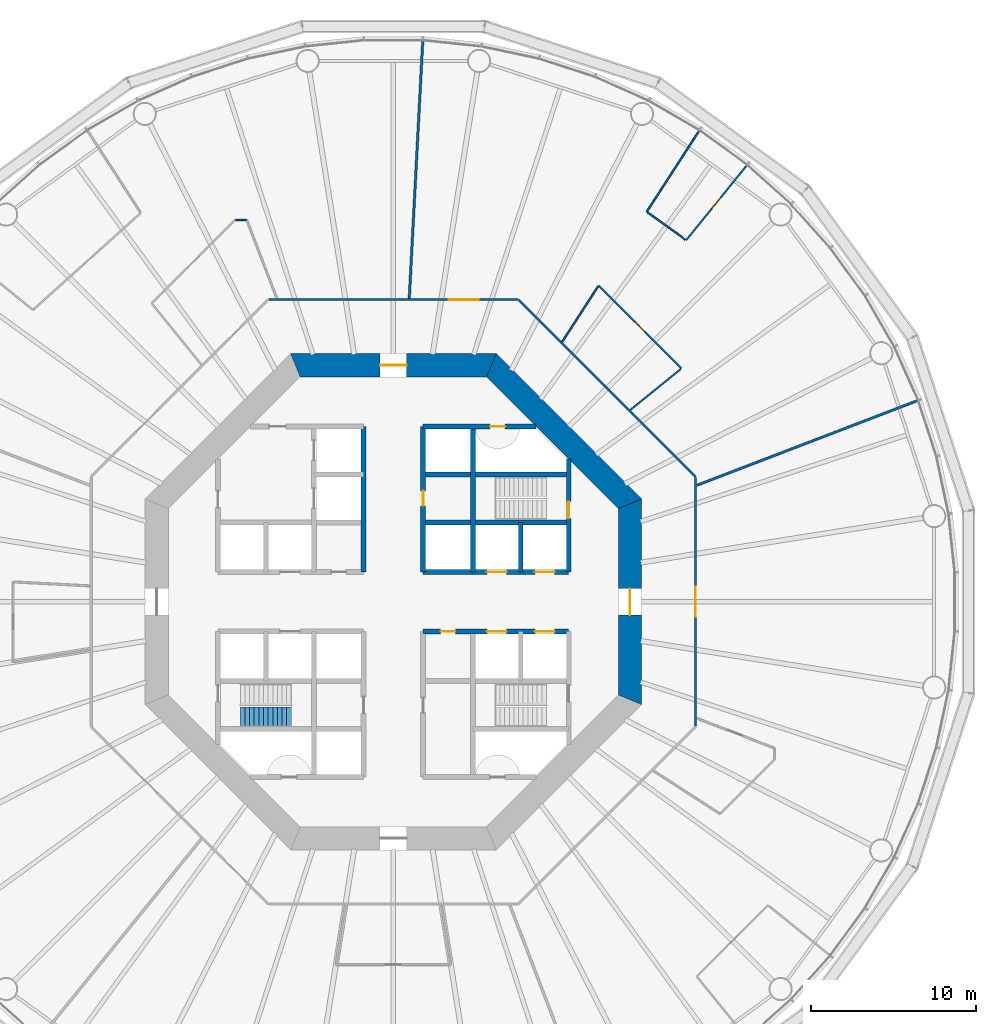
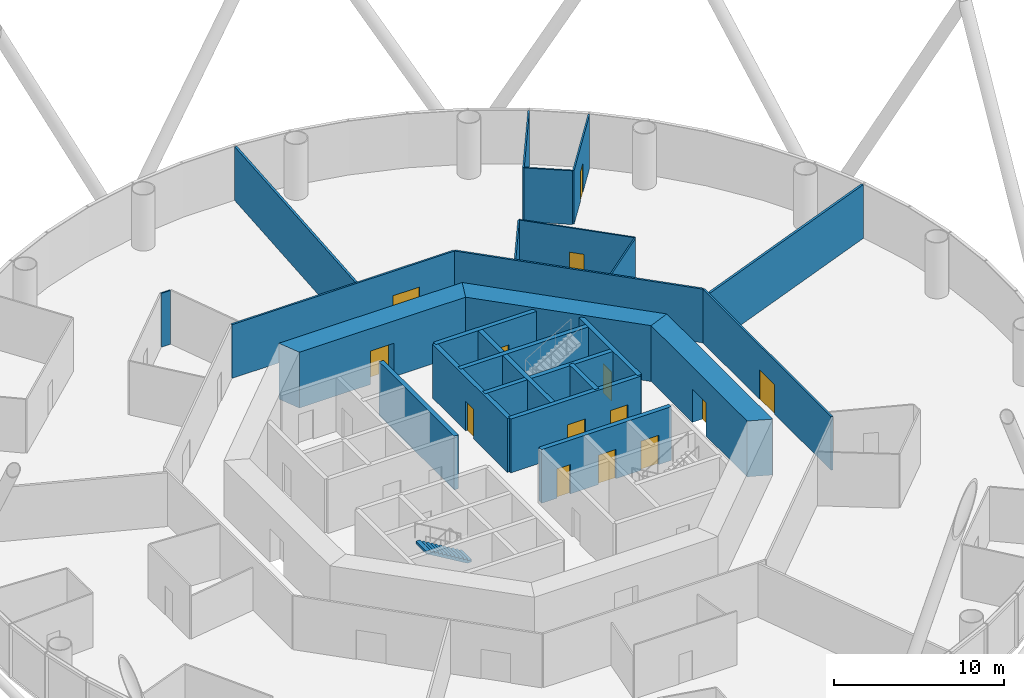
# One storey, part 5 of 13: 25 walls, 14 doors, 1 stair flight, 14 openings, 1 element without a shape of its own.
"""IFC4 building model written with IfcOpenShell, lengths in metres."""

from ifc_helpers import new_model, si_unit, direction, frame, frame_2d, origin, place, context, subcontext, project, spatial, polyline, rectangle, outline, extrude, material, layer, layer_set, type_object, element, fill, aggregate, save


model = new_model("IFC4")

# Units and contexts
model_context = context("Model", 3, precision=1e-05, world=origin(), true_north=direction((0.0, 1.0)))
body_context = subcontext(model_context, "Body", "Model", "MODEL_VIEW")
ifc_project = project(units=[si_unit("LENGTHUNIT", "METRE"), si_unit("AREAUNIT", "SQUARE_METRE"), si_unit("VOLUMEUNIT", "CUBIC_METRE"), si_unit("PLANEANGLEUNIT", "RADIAN"), si_unit("MASSUNIT", "GRAM", prefix="KILO")], contexts=[model_context])

# Site, building, storey
site_placement = place(None, origin())
site = spatial("IfcSite", under=ifc_project, at=site_placement, CompositionType="ELEMENT")
building_placement = place(site_placement, origin())
building = spatial("IfcBuilding", under=site, at=building_placement, Name="Entoto Ring Tower", CompositionType="ELEMENT")
storey_placement = place(building_placement, frame((0.0, 0.0, 54.0)))
storey = spatial("IfcBuildingStorey", under=building, at=storey_placement, Name="L11", CompositionType="ELEMENT", Elevation=54.0)

# Wall, opening, door
ifc_material_1 = material(Name="Concrete C40/50", Category="concrete")
ifc_layer_1 = layer(ifc_material_1, 0.300048828125)
ifc_layer_set_1 = layer_set([ifc_layer_1], Name="Concrete C40/50")
wall_type_1 = type_object("IfcWallType", Name="Core enclosure wall 300 mm reinforced concrete", PredefinedType="SOLIDWALL", material=ifc_layer_set_1)
wall_1_placement = place(storey_placement, frame((100.60009765625, 81.800048828125, 0.0), z_axis=(0.0, 0.0, 1.0), x_axis=(0.0, 1.0, 0.0)))
wall_1 = element("IfcWall", 1, at=wall_1_placement, inside=storey, type_object=wall_type_1, Name="wall-L11-002", PredefinedType="SOLIDWALL", context=body_context, shape_type="SweptSolid", body=[
    extrude(rectangle(XDim=6.833251953125, YDim=0.300048828125, at=frame_2d((3.41650390625, 0.0))), origin(), (0.0, 0.0, 1.0), 3.85009765625),
])
opening_1_placement = place(wall_1_placement, frame((3.25, 0.0, 0.0)))
opening_1 = element("IfcOpeningElement", 2, at=opening_1_placement, cuts=wall_1, Name="Opening K-55", PredefinedType="OPENING", context=body_context, shape_type="SweptSolid", body=[
    extrude(rectangle(XDim=1.0, YDim=2.10009765625, at=frame_2d((0.5, 1.050048828125))), frame((0.0, 0.16015625, 0.0), z_axis=(0.0, -1.0, 0.0), x_axis=(1.0, 0.0, 0.0)), (0.0, 0.0, 1.0), 0.320068359375),
])
ifc_material_2 = material(Name="Steel door leaf, fire rated", Category="steel")
ifc_layer_2 = layer(ifc_material_2, 0.050048828125)
ifc_layer_set_2 = layer_set([ifc_layer_2], Name="Steel door leaf, fire rated")
door_type_1 = type_object("IfcDoorType", Name="Fire door FD60 1000 x 2100 single leaf", OperationType="NOTDEFINED", PredefinedType="DOOR", material=ifc_layer_set_2)
door_1_placement = place(opening_1_placement, origin())
door_1 = element("IfcDoor", 3, at=door_1_placement, inside=storey, type_object=door_type_1, Name="Door K-55", OperationType="SINGLE_SWING_LEFT", OverallHeight=2.10009765625, OverallWidth=1.0, PredefinedType="DOOR", context=body_context, shape_type="SweptSolid", body=[
    extrude(rectangle(XDim=1.0, YDim=2.10009765625, at=frame_2d((0.5, 1.050048828125))), frame((0.0, 0.02490234375, 0.0), z_axis=(0.0, -1.0, 0.0), x_axis=(1.0, 0.0, 0.0)), (0.0, 0.0, 1.0), 0.050048828125),
])
fill(opening_1, door_1)

# Walls
wall_2_placement = place(storey_placement, frame((97.699951171875, 81.800048828125, 0.0), z_axis=(0.0, 0.0, 1.0), x_axis=(0.0, 1.0, 0.0)))
element("IfcWall", 4, at=wall_2_placement, inside=storey, type_object=wall_type_1, Name="wall-L11-004", PredefinedType="SOLIDWALL", context=body_context, shape_type="SweptSolid", body=[
    extrude(rectangle(XDim=3.0, YDim=0.300048828125, at=frame_2d((1.5, 0.0))), origin(), (0.0, 0.0, 1.0), 3.85009765625),
])
wall_3_placement = place(storey_placement, frame((94.800048828125, 81.800048828125, 0.0), z_axis=(0.0, 0.0, 1.0), x_axis=(0.0, 1.0, 0.0)))
element("IfcWall", 5, at=wall_3_placement, inside=storey, type_object=wall_type_1, Name="wall-L11-006", PredefinedType="SOLIDWALL", context=body_context, shape_type="SweptSolid", body=[
    extrude(rectangle(XDim=8.800048828125, YDim=0.300048828125, at=frame_2d((4.39990234375, 0.0))), origin(), (0.0, 0.0, 1.0), 3.85009765625),
])

# Wall, opening, door
wall_4_placement = place(storey_placement, frame((91.800048828125, 81.800048828125, 0.0), z_axis=(0.0, 0.0, 1.0), x_axis=(0.0, 1.0, 0.0)))
wall_4 = element("IfcWall", 6, at=wall_4_placement, inside=storey, type_object=wall_type_1, Name="wall-L11-008", PredefinedType="SOLIDWALL", context=body_context, shape_type="SweptSolid", body=[
    extrude(rectangle(XDim=8.800048828125, YDim=0.300048828125, at=frame_2d((4.39990234375, 0.0))), origin(), (0.0, 0.0, 1.0), 3.85009765625),
])
opening_2_placement = place(wall_4_placement, frame((4.0, 0.0, 0.0)))
opening_2 = element("IfcOpeningElement", 7, at=opening_2_placement, cuts=wall_4, Name="Opening K-11", PredefinedType="OPENING", context=body_context, shape_type="SweptSolid", body=[
    extrude(rectangle(XDim=0.89990234375, YDim=2.10009765625, at=frame_2d((0.449951171875, 1.050048828125))), frame((0.0, 0.16015625, 0.0), z_axis=(0.0, -1.0, 0.0), x_axis=(1.0, 0.0, 0.0)), (0.0, 0.0, 1.0), 0.320068359375),
])
ifc_material_3 = material(Name="Steel door leaf, fire rated", Category="steel")
ifc_layer_3 = layer(ifc_material_3, 0.050048828125)
ifc_layer_set_3 = layer_set([ifc_layer_3], Name="Steel door leaf, fire rated")
door_type_2 = type_object("IfcDoorType", Name="Core door 900 x 2100 single leaf", OperationType="NOTDEFINED", PredefinedType="DOOR", material=ifc_layer_set_3)
door_2_placement = place(opening_2_placement, origin())
door_2 = element("IfcDoor", 8, at=door_2_placement, inside=storey, type_object=door_type_2, Name="Door K-11", OperationType="SINGLE_SWING_RIGHT", OverallHeight=2.10009765625, OverallWidth=0.89990234375, PredefinedType="DOOR", context=body_context, shape_type="SweptSolid", body=[
    extrude(rectangle(XDim=0.89990234375, YDim=2.10009765625, at=frame_2d((0.449951171875, 1.050048828125))), frame((0.0, 0.02490234375, 0.0), z_axis=(0.0, -1.0, 0.0), x_axis=(1.0, 0.0, 0.0)), (0.0, 0.0, 1.0), 0.050048828125),
])
fill(opening_2, door_2)

# Wall
wall_5_placement = place(storey_placement, frame((88.199951171875, 81.800048828125, 0.0), z_axis=(0.0, 0.0, 1.0), x_axis=(0.0, 1.0, 0.0)))
element("IfcWall", 9, at=wall_5_placement, inside=storey, type_object=wall_type_1, Name="wall-L11-010", PredefinedType="SOLIDWALL", context=body_context, shape_type="SweptSolid", body=[
    extrude(rectangle(XDim=8.800048828125, YDim=0.300048828125, at=frame_2d((4.39990234375, 0.0))), origin(), (0.0, 0.0, 1.0), 3.85009765625),
])

# Wall, openings, doors
wall_6_placement = place(storey_placement, frame((91.800048828125, 78.199951171875, 0.0), z_axis=(0.0, 0.0, 1.0), x_axis=(1.0, 0.0, 0.0)))
wall_6 = element("IfcWall", 10, at=wall_6_placement, inside=storey, type_object=wall_type_1, Name="wall-L11-024", PredefinedType="SOLIDWALL", context=body_context, shape_type="SweptSolid", body=[
    extrude(rectangle(XDim=8.800048828125, YDim=0.300048828125, at=frame_2d((4.39990234375, 0.0))), origin(), (0.0, 0.0, 1.0), 3.85009765625),
])
opening_3_placement = place(wall_6_placement, frame((3.85009765625, 0.0, 0.0)))
opening_3 = element("IfcOpeningElement", 11, at=opening_3_placement, cuts=wall_6, Name="Opening LD", PredefinedType="OPENING", context=body_context, shape_type="SweptSolid", body=[
    extrude(rectangle(XDim=1.199951171875, YDim=2.10009765625, at=frame_2d((0.60009765625, 1.050048828125))), frame((0.0, 0.16015625, 0.0), z_axis=(0.0, -1.0, 0.0), x_axis=(1.0, 0.0, 0.0)), (0.0, 0.0, 1.0), 0.320068359375),
])
opening_4_placement = place(wall_6_placement, frame((6.75, 0.0, 0.0)))
opening_4 = element("IfcOpeningElement", 12, at=opening_4_placement, cuts=wall_6, Name="Opening LD", PredefinedType="OPENING", context=body_context, shape_type="SweptSolid", body=[
    extrude(rectangle(XDim=1.199951171875, YDim=2.10009765625, at=frame_2d((0.60009765625, 1.050048828125))), frame((0.0, 0.16015625, 0.0), z_axis=(0.0, -1.0, 0.0), x_axis=(1.0, 0.0, 0.0)), (0.0, 0.0, 1.0), 0.320068359375),
])
opening_5_placement = place(wall_6_placement, frame((1.050048828125, 0.0, 0.0)))
opening_5 = element("IfcOpeningElement", 13, at=opening_5_placement, cuts=wall_6, Name="Opening K-15", PredefinedType="OPENING", context=body_context, shape_type="SweptSolid", body=[
    extrude(rectangle(XDim=0.89990234375, YDim=2.10009765625, at=frame_2d((0.449951171875, 1.050048828125))), frame((0.0, 0.16015625, 0.0), z_axis=(0.0, -1.0, 0.0), x_axis=(1.0, 0.0, 0.0)), (0.0, 0.0, 1.0), 0.320068359375),
])
door_3_placement = place(opening_5_placement, frame((0.89990234375, 0.0, 0.0), z_axis=(0.0, 0.0, 1.0), x_axis=(-1.0, 0.0, 0.0)))
door_3 = element("IfcDoor", 14, at=door_3_placement, inside=storey, type_object=door_type_2, Name="Door K-15", OperationType="SINGLE_SWING_RIGHT", OverallHeight=2.10009765625, OverallWidth=0.89990234375, PredefinedType="DOOR", context=body_context, shape_type="SweptSolid", body=[
    extrude(rectangle(XDim=0.89990234375, YDim=2.10009765625, at=frame_2d((0.449951171875, 1.050048828125))), frame((0.0, 0.02490234375, 0.0), z_axis=(0.0, -1.0, 0.0), x_axis=(1.0, 0.0, 0.0)), (0.0, 0.0, 1.0), 0.050048828125),
])
fill(opening_5, door_3)
ifc_material_4 = material(Name="Steel and glass door leaf", Category="steel")
ifc_layer_4 = layer(ifc_material_4, 0.050048828125)
ifc_layer_set_4 = layer_set([ifc_layer_4], Name="Steel and glass door leaf")
door_type_3 = type_object("IfcDoorType", Name="Landing door 1200 x 2100 sliding", OperationType="DOUBLE_DOOR_SLIDING", PredefinedType="DOOR", material=ifc_layer_set_4)
door_4_placement = place(opening_3_placement, origin())
door_4 = element("IfcDoor", 15, at=door_4_placement, inside=storey, type_object=door_type_3, Name="Landing door LB4-LR", OperationType="SLIDING_TO_RIGHT", OverallHeight=2.10009765625, OverallWidth=1.199951171875, PredefinedType="DOOR", context=body_context, shape_type="SweptSolid", body=[
    extrude(rectangle(XDim=1.199951171875, YDim=2.10009765625, at=frame_2d((0.60009765625, 1.050048828125))), frame((0.0, 0.02490234375, 0.0), z_axis=(0.0, -1.0, 0.0), x_axis=(1.0, 0.0, 0.0)), (0.0, 0.0, 1.0), 0.050048828125),
])
fill(opening_3, door_4)
door_5_placement = place(opening_4_placement, origin())
door_5 = element("IfcDoor", 16, at=door_5_placement, inside=storey, type_object=door_type_3, Name="Landing door LB5-LR", OperationType="SLIDING_TO_RIGHT", OverallHeight=2.10009765625, OverallWidth=1.199951171875, PredefinedType="DOOR", context=body_context, shape_type="SweptSolid", body=[
    extrude(rectangle(XDim=1.199951171875, YDim=2.10009765625, at=frame_2d((0.60009765625, 1.050048828125))), frame((0.0, 0.02490234375, 0.0), z_axis=(0.0, -1.0, 0.0), x_axis=(1.0, 0.0, 0.0)), (0.0, 0.0, 1.0), 0.050048828125),
])
fill(opening_4, door_5)

wall_7_placement = place(storey_placement, frame((91.800048828125, 81.800048828125, 0.0), z_axis=(0.0, 0.0, 1.0), x_axis=(1.0, 0.0, 0.0)))
wall_7 = element("IfcWall", 17, at=wall_7_placement, inside=storey, type_object=wall_type_1, Name="wall-L11-026", PredefinedType="SOLIDWALL", context=body_context, shape_type="SweptSolid", body=[
    extrude(rectangle(XDim=8.800048828125, YDim=0.300048828125, at=frame_2d((4.39990234375, 0.0))), origin(), (0.0, 0.0, 1.0), 3.85009765625),
])
opening_6_placement = place(wall_7_placement, frame((3.85009765625, 0.0, 0.0)))
opening_6 = element("IfcOpeningElement", 18, at=opening_6_placement, cuts=wall_7, Name="Opening LD", PredefinedType="OPENING", context=body_context, shape_type="SweptSolid", body=[
    extrude(rectangle(XDim=1.199951171875, YDim=2.10009765625, at=frame_2d((0.60009765625, 1.050048828125))), frame((0.0, 0.16015625, 0.0), z_axis=(0.0, -1.0, 0.0), x_axis=(1.0, 0.0, 0.0)), (0.0, 0.0, 1.0), 0.320068359375),
])
opening_7_placement = place(wall_7_placement, frame((6.75, 0.0, 0.0)))
opening_7 = element("IfcOpeningElement", 19, at=opening_7_placement, cuts=wall_7, Name="Opening LD", PredefinedType="OPENING", context=body_context, shape_type="SweptSolid", body=[
    extrude(rectangle(XDim=1.199951171875, YDim=2.10009765625, at=frame_2d((0.60009765625, 1.050048828125))), frame((0.0, 0.16015625, 0.0), z_axis=(0.0, -1.0, 0.0), x_axis=(1.0, 0.0, 0.0)), (0.0, 0.0, 1.0), 0.320068359375),
])
door_6_placement = place(opening_6_placement, origin())
door_6 = element("IfcDoor", 20, at=door_6_placement, inside=storey, type_object=door_type_3, Name="Landing door LB1-LR", OperationType="SLIDING_TO_RIGHT", OverallHeight=2.10009765625, OverallWidth=1.199951171875, PredefinedType="DOOR", context=body_context, shape_type="SweptSolid", body=[
    extrude(rectangle(XDim=1.199951171875, YDim=2.10009765625, at=frame_2d((0.60009765625, 1.050048828125))), frame((0.0, 0.02490234375, 0.0), z_axis=(0.0, -1.0, 0.0), x_axis=(1.0, 0.0, 0.0)), (0.0, 0.0, 1.0), 0.050048828125),
])
fill(opening_6, door_6)
door_7_placement = place(opening_7_placement, origin())
door_7 = element("IfcDoor", 21, at=door_7_placement, inside=storey, type_object=door_type_3, Name="Landing door LB2-LR", OperationType="SLIDING_TO_RIGHT", OverallHeight=2.10009765625, OverallWidth=1.199951171875, PredefinedType="DOOR", context=body_context, shape_type="SweptSolid", body=[
    extrude(rectangle(XDim=1.199951171875, YDim=2.10009765625, at=frame_2d((0.60009765625, 1.050048828125))), frame((0.0, 0.02490234375, 0.0), z_axis=(0.0, -1.0, 0.0), x_axis=(1.0, 0.0, 0.0)), (0.0, 0.0, 1.0), 0.050048828125),
])
fill(opening_7, door_7)

# Walls
for number, where, z_axis, x_axis, name in (
    (22, (91.800048828125, 84.800048828125, 0.0), (0.0, 0.0, 1.0), (1.0, 0.0, 0.0), "wall-L11-028"),
    (23, (91.800048828125, 87.699951171875, 0.0), (0.0, 0.0, 1.0), (1.0, 0.0, 0.0), "wall-L11-030"),
):
    element("IfcWall", number, at=place(storey_placement, frame(where, z_axis=z_axis, x_axis=x_axis)), inside=storey, type_object=wall_type_1, Name=name, PredefinedType="SOLIDWALL", context=body_context, shape_type="SweptSolid", body=[
        extrude(rectangle(XDim=8.800048828125, YDim=0.300048828125, at=frame_2d((4.39990234375, 0.0))), origin(), (0.0, 0.0, 1.0), 3.85009765625),
    ])

# Wall, opening, door
wall_8_placement = place(storey_placement, frame((91.800048828125, 90.60009765625, 0.0), z_axis=(0.0, 0.0, 1.0), x_axis=(1.0, 0.0, 0.0)))
wall_8 = element("IfcWall", 24, at=wall_8_placement, inside=storey, type_object=wall_type_1, Name="wall-L11-032", PredefinedType="SOLIDWALL", context=body_context, shape_type="SweptSolid", body=[
    extrude(rectangle(XDim=6.833251953125, YDim=0.300048828125, at=frame_2d((3.41650390625, 0.0))), origin(), (0.0, 0.0, 1.0), 3.85009765625),
])
opening_8_placement = place(wall_8_placement, frame((4.050048828125, 0.0, 0.0)))
opening_8 = element("IfcOpeningElement", 25, at=opening_8_placement, cuts=wall_8, Name="Opening K-62", PredefinedType="OPENING", context=body_context, shape_type="SweptSolid", body=[
    extrude(rectangle(XDim=0.89990234375, YDim=2.10009765625, at=frame_2d((0.449951171875, 1.050048828125))), frame((0.0, 0.16015625, 0.0), z_axis=(0.0, -1.0, 0.0), x_axis=(1.0, 0.0, 0.0)), (0.0, 0.0, 1.0), 0.320068359375),
])
ifc_material_5 = material(Name="Steel door leaf, fire rated", Category="steel")
ifc_layer_5 = layer(ifc_material_5, 0.050048828125)
ifc_layer_set_5 = layer_set([ifc_layer_5], Name="Steel door leaf, fire rated")
door_type_4 = type_object("IfcDoorType", Name="Riser door FD60 900 x 2100 single leaf", OperationType="NOTDEFINED", PredefinedType="DOOR", material=ifc_layer_set_5)
door_8_placement = place(opening_8_placement, frame((0.89990234375, 0.0, 0.0), z_axis=(0.0, 0.0, 1.0), x_axis=(-1.0, 0.0, 0.0)))
door_8 = element("IfcDoor", 26, at=door_8_placement, inside=storey, type_object=door_type_4, Name="Door K-62", OperationType="SINGLE_SWING_LEFT", OverallHeight=2.10009765625, OverallWidth=0.89990234375, PredefinedType="DOOR", context=body_context, shape_type="SweptSolid", body=[
    extrude(rectangle(XDim=0.89990234375, YDim=2.10009765625, at=frame_2d((0.449951171875, 1.050048828125))), frame((0.0, 0.02490234375, 0.0), z_axis=(0.0, -1.0, 0.0), x_axis=(1.0, 0.0, 0.0)), (0.0, 0.0, 1.0), 0.050048828125),
])
fill(opening_8, door_8)

ifc_material_6 = material(Name="Concrete C60/75", Category="concrete")
ifc_layer_6 = layer(ifc_material_6, 1.39990234375)
ifc_layer_set_6 = layer_set([ifc_layer_6], Name="Concrete C60/75")
wall_type_2 = type_object("IfcWallType", Name="Core shear wall 1400 mm reinforced concrete C60/75", PredefinedType="SHEAR", material=ifc_layer_set_6)
wall_9_placement = place(storey_placement, frame((104.300048828125, 74.07666015625, 0.0), z_axis=(0.0, 0.0, 1.0), x_axis=(0.0, 1.0, 0.0)))
wall_9 = element("IfcWall", 27, at=wall_9_placement, inside=storey, type_object=wall_type_2, Name="wall-L11-core-0", PredefinedType="SHEAR", context=body_context, shape_type="SweptSolid", body=[
    extrude(outline(polyline([(-0.2900390625, -0.699951171875), (12.13671875, -0.699951171875), (11.556640625, 0.699951171875), (0.2900390625, 0.699951171875), (-0.2900390625, -0.699951171875)])), origin(), (0.0, 0.0, 1.0), 4.0),
])
opening_9_placement = place(wall_9_placement, frame((5.123291015625, 0.0, 0.0)))
opening_9 = element("IfcOpeningElement", 28, at=opening_9_placement, cuts=wall_9, Name="Opening K-01", PredefinedType="OPENING", context=body_context, shape_type="SweptSolid", body=[
    extrude(rectangle(XDim=1.60009765625, YDim=2.39990234375, at=frame_2d((0.800048828125, 1.199951171875))), frame((0.0, 0.7099609375, 0.0), z_axis=(0.0, -1.0, 0.0), x_axis=(1.0, 0.0, 0.0)), (0.0, 0.0, 1.0), 1.419921875),
])
ifc_material_7 = material(Name="Steel door leaf, fire rated", Category="steel")
ifc_layer_7 = layer(ifc_material_7, 0.050048828125)
ifc_layer_set_7 = layer_set([ifc_layer_7], Name="Steel door leaf, fire rated")
door_type_5 = type_object("IfcDoorType", Name="Entrance door FD60 1600 x 2400 double leaf", OperationType="DOUBLE_DOOR_SINGLE_SWING", PredefinedType="DOOR", material=ifc_layer_set_7)
door_9_placement = place(opening_9_placement, origin())
door_9 = element("IfcDoor", 29, at=door_9_placement, inside=storey, type_object=door_type_5, Name="Entrance door K-01", OperationType="DOUBLE_DOOR_SINGLE_SWING", OverallHeight=2.39990234375, OverallWidth=1.60009765625, PredefinedType="DOOR", context=body_context, shape_type="SweptSolid", body=[
    extrude(rectangle(XDim=1.60009765625, YDim=2.39990234375, at=frame_2d((0.800048828125, 1.199951171875))), frame((0.0, 0.02490234375, 0.0), z_axis=(0.0, -1.0, 0.0), x_axis=(1.0, 0.0, 0.0)), (0.0, 0.0, 1.0), 0.050048828125),
])
fill(opening_9, door_9)

# Wall
wall_10_placement = place(storey_placement, frame((104.300048828125, 85.92333984375, 0.0), z_axis=(0.0, 0.0, 1.0), x_axis=(-0.707106781187, 0.707106781187, 0.0)))
element("IfcWall", 30, at=wall_10_placement, inside=storey, type_object=wall_type_2, Name="wall-L11-core-1", PredefinedType="SHEAR", context=body_context, shape_type="SweptSolid", body=[
    extrude(outline(polyline([(-0.2900390625, -0.699951171875), (12.136474609375, -0.699951171875), (11.556396484375, 0.699951171875), (0.2900390625, 0.699951171875), (-0.2900390625, -0.699951171875)])), origin(), (0.0, 0.0, 1.0), 4.0),
])

# Wall, opening, door
wall_11_placement = place(storey_placement, frame((95.92333984375, 94.300048828125, 0.0), z_axis=(0.0, 0.0, 1.0), x_axis=(-1.0, 0.0, 0.0)))
wall_11 = element("IfcWall", 31, at=wall_11_placement, inside=storey, type_object=wall_type_2, Name="wall-L11-core-2", PredefinedType="SHEAR", context=body_context, shape_type="SweptSolid", body=[
    extrude(outline(polyline([(-0.2900390625, -0.699951171875), (12.13671875, -0.699951171875), (11.556640625, 0.699951171875), (0.2900390625, 0.699951171875), (-0.2900390625, -0.699951171875)])), origin(), (0.0, 0.0, 1.0), 4.0),
])
opening_10_placement = place(wall_11_placement, frame((5.123291015625, 0.0, 0.0)))
opening_10 = element("IfcOpeningElement", 32, at=opening_10_placement, cuts=wall_11, Name="Opening K-02", PredefinedType="OPENING", context=body_context, shape_type="SweptSolid", body=[
    extrude(rectangle(XDim=1.60009765625, YDim=2.39990234375, at=frame_2d((0.800048828125, 1.199951171875))), frame((0.0, 0.7099609375, 0.0), z_axis=(0.0, -1.0, 0.0), x_axis=(1.0, 0.0, 0.0)), (0.0, 0.0, 1.0), 1.419921875),
])
door_10_placement = place(opening_10_placement, origin())
door_10 = element("IfcDoor", 33, at=door_10_placement, inside=storey, type_object=door_type_5, Name="Entrance door K-02", OperationType="DOUBLE_DOOR_SINGLE_SWING", OverallHeight=2.39990234375, OverallWidth=1.60009765625, PredefinedType="DOOR", context=body_context, shape_type="SweptSolid", body=[
    extrude(rectangle(XDim=1.60009765625, YDim=2.39990234375, at=frame_2d((0.800048828125, 1.199951171875))), frame((0.0, 0.02490234375, 0.0), z_axis=(0.0, -1.0, 0.0), x_axis=(1.0, 0.0, 0.0)), (0.0, 0.0, 1.0), 0.050048828125),
])
fill(opening_10, door_10)

# Wall
ifc_material_8 = material(Name="Fire-resisting plasterboard on steel studs", Category="steel")
ifc_layer_8 = layer(ifc_material_8, 0.125)
ifc_layer_set_8 = layer_set([ifc_layer_8], Name="Fire-resisting plasterboard on steel studs")
wall_type_3 = type_object("IfcWallType", Name="Corridor wall 125 mm one-hour plasterboard on steel studs", PredefinedType="PARTITIONING", material=ifc_layer_set_8)
wall_12_placement = place(storey_placement, frame((108.262451171875, 87.564697265625, 0.0), z_axis=(0.0, 0.0, 1.0), x_axis=(-0.707106781187, 0.707106781187, 0.0)))
element("IfcWall", 34, at=wall_12_placement, inside=storey, type_object=wall_type_3, Name="partition-L11-004", PredefinedType="PARTITIONING", context=body_context, shape_type="SweptSolid", body=[
    extrude(rectangle(XDim=15.12890625, YDim=0.125, at=frame_2d((7.564453125, 0.0))), origin(), (0.0, 0.0, 1.0), 3.85009765625),
])

# Wall, opening, door
wall_13_placement = place(storey_placement, frame((82.4794921875, 98.262451171875, 0.0), z_axis=(0.0, 0.0, 1.0), x_axis=(1.0, 0.0, 0.0)))
wall_13 = element("IfcWall", 35, at=wall_13_placement, inside=storey, type_object=wall_type_3, Name="partition-L11-007", PredefinedType="PARTITIONING", context=body_context, shape_type="SweptSolid", body=[
    extrude(rectangle(XDim=15.041015625, YDim=0.125, at=frame_2d((7.5205078125, 0.0))), origin(), (0.0, 0.0, 1.0), 3.85009765625),
])
opening_11_placement = place(wall_13_placement, frame((10.88134765625, 0.0, 0.0)))
opening_11 = element("IfcOpeningElement", 36, at=opening_11_placement, cuts=wall_13, Name="Opening A05-D11", PredefinedType="OPENING", context=body_context, shape_type="SweptSolid", body=[
    extrude(rectangle(XDim=1.800048828125, YDim=2.10009765625, at=frame_2d((0.89990234375, 1.050048828125))), frame((0.0, 0.072509765625, 0.0), z_axis=(0.0, -1.0, 0.0), x_axis=(1.0, 0.0, 0.0)), (0.0, 0.0, 1.0), 0.14501953125),
])
ifc_material_9 = material(Name="Fire-resisting timber door set", Category="wood")
door_type_6 = type_object("IfcDoorType", Name="Door 1800 x 2100 double leaf FD30S fire door", OperationType="DOUBLE_DOOR_SINGLE_SWING", PredefinedType="DOOR", material=ifc_material_9)
door_11_placement = place(opening_11_placement, origin())
door_11 = element("IfcDoor", 37, at=door_11_placement, inside=storey, type_object=door_type_6, Name="Door A05-D11", OperationType="DOUBLE_DOOR_SINGLE_SWING", OverallHeight=2.10009765625, OverallWidth=1.800048828125, PredefinedType="DOOR", context=body_context, shape_type="SweptSolid", body=[
    extrude(rectangle(XDim=1.800048828125, YDim=2.10009765625, at=frame_2d((0.89990234375, 1.050048828125))), frame((0.0, 0.02490234375, 0.0), z_axis=(0.0, -1.0, 0.0), x_axis=(1.0, 0.0, 0.0)), (0.0, 0.0, 1.0), 0.050048828125),
])
fill(opening_11, door_11)

wall_14_placement = place(storey_placement, frame((108.262451171875, 72.4794921875, 0.0), z_axis=(0.0, 0.0, 1.0), x_axis=(0.0, 1.0, 0.0)))
wall_14 = element("IfcWall", 38, at=wall_14_placement, inside=storey, type_object=wall_type_3, Name="partition-L11-008", PredefinedType="PARTITIONING", context=body_context, shape_type="SweptSolid", body=[
    extrude(rectangle(XDim=15.041015625, YDim=0.125, at=frame_2d((7.5205078125, 0.0))), origin(), (0.0, 0.0, 1.0), 3.85009765625),
])
opening_12_placement = place(wall_14_placement, frame((6.62060546875, 0.0, 0.0)))
opening_12 = element("IfcOpeningElement", 39, at=opening_12_placement, cuts=wall_14, Name="Opening A05-D08", PredefinedType="OPENING", context=body_context, shape_type="SweptSolid", body=[
    extrude(rectangle(XDim=1.800048828125, YDim=2.10009765625, at=frame_2d((0.89990234375, 1.050048828125))), frame((0.0, 0.072509765625, 0.0), z_axis=(0.0, -1.0, 0.0), x_axis=(1.0, 0.0, 0.0)), (0.0, 0.0, 1.0), 0.14501953125),
])
door_12_placement = place(opening_12_placement, origin())
door_12 = element("IfcDoor", 40, at=door_12_placement, inside=storey, type_object=door_type_6, Name="Door A05-D08", OperationType="DOUBLE_DOOR_SINGLE_SWING", OverallHeight=2.10009765625, OverallWidth=1.800048828125, PredefinedType="DOOR", context=body_context, shape_type="SweptSolid", body=[
    extrude(rectangle(XDim=1.800048828125, YDim=2.10009765625, at=frame_2d((0.89990234375, 1.050048828125))), frame((0.0, 0.02490234375, 0.0), z_axis=(0.0, -1.0, 0.0), x_axis=(1.0, 0.0, 0.0)), (0.0, 0.0, 1.0), 0.050048828125),
])
fill(opening_12, door_12)

ifc_material_10 = material(Name="Plasterboard on steel studs", Category="steel")
ifc_layer_9 = layer(ifc_material_10, 0.10009765625)
ifc_layer_set_9 = layer_set([ifc_layer_9], Name="Plasterboard on steel studs")
wall_type_4 = type_object("IfcWallType", Name="Partition 100 mm plasterboard on steel studs", PredefinedType="PARTITIONING", material=ifc_layer_set_9)
wall_15_placement = place(storey_placement, frame((107.419921875, 94.1064453125, 0.0), z_axis=(0.0, 0.0, 1.0), x_axis=(-0.707106781187, 0.707106781187, 0.0)))
wall_15 = element("IfcWall", 41, at=wall_15_placement, inside=storey, type_object=wall_type_4, Name="partition-L11-017", PredefinedType="PARTITIONING", context=body_context, shape_type="SweptSolid", body=[
    extrude(rectangle(XDim=7.08154296875, YDim=0.10009765625, at=frame_2d((3.540771484375, 0.0))), origin(), (0.0, 0.0, 1.0), 3.85009765625),
])
opening_13_placement = place(wall_15_placement, frame((3.0908203125, 0.0, 0.0)))
opening_13 = element("IfcOpeningElement", 42, at=opening_13_placement, cuts=wall_15, Name="Opening A05-D12", PredefinedType="OPENING", context=body_context, shape_type="SweptSolid", body=[
    extrude(rectangle(XDim=0.89990234375, YDim=2.10009765625, at=frame_2d((0.449951171875, 1.050048828125))), frame((0.0, 0.06005859375, 0.0), z_axis=(0.0, -1.0, 0.0), x_axis=(1.0, 0.0, 0.0)), (0.0, 0.0, 1.0), 0.1201171875),
])
ifc_material_11 = material(Name="Veneered timber door leaf in timber frame", Category="wood")
door_type_7 = type_object("IfcDoorType", Name="Door 900 x 2100 single leaf timber veneer", OperationType="NOTDEFINED", PredefinedType="DOOR", material=ifc_material_11)
door_13_placement = place(opening_13_placement, origin())
door_13 = element("IfcDoor", 43, at=door_13_placement, inside=storey, type_object=door_type_7, Name="Door A05-D12", OperationType="SINGLE_SWING_RIGHT", OverallHeight=2.10009765625, OverallWidth=0.89990234375, PredefinedType="DOOR", context=body_context, shape_type="SweptSolid", body=[
    extrude(rectangle(XDim=0.89990234375, YDim=2.10009765625, at=frame_2d((0.449951171875, 1.050048828125))), frame((0.0, 0.02490234375, 0.0), z_axis=(0.0, -1.0, 0.0), x_axis=(1.0, 0.0, 0.0)), (0.0, 0.0, 1.0), 0.050048828125),
])
fill(opening_13, door_13)

wall_16_placement = place(storey_placement, frame((107.696533203125, 101.853271484375, 0.0), z_axis=(0.0, 0.0, 1.0), x_axis=(0.629318896289, 0.777147171888, 0.0)))
wall_16 = element("IfcWall", 44, at=wall_16_placement, inside=storey, type_object=wall_type_4, Name="partition-L11-023", PredefinedType="PARTITIONING", context=body_context, shape_type="SweptSolid", body=[
    extrude(rectangle(XDim=5.81982421875, YDim=0.10009765625, at=frame_2d((2.909912109375, 0.0))), origin(), (0.0, 0.0, 1.0), 3.85009765625),
])
opening_14_placement = place(wall_16_placement, frame((2.4599609375, 0.0, 0.0)))
opening_14 = element("IfcOpeningElement", 45, at=opening_14_placement, cuts=wall_16, Name="Opening A05-D13", PredefinedType="OPENING", context=body_context, shape_type="SweptSolid", body=[
    extrude(rectangle(XDim=0.89990234375, YDim=2.10009765625, at=frame_2d((0.449951171875, 1.050048828125))), frame((0.0, 0.06005859375, 0.0), z_axis=(0.0, -1.0, 0.0), x_axis=(1.0, 0.0, 0.0)), (0.0, 0.0, 1.0), 0.1201171875),
])
door_14_placement = place(opening_14_placement, origin())
door_14 = element("IfcDoor", 46, at=door_14_placement, inside=storey, type_object=door_type_7, Name="Door A05-D13", OperationType="SINGLE_SWING_RIGHT", OverallHeight=2.10009765625, OverallWidth=0.89990234375, PredefinedType="DOOR", context=body_context, shape_type="SweptSolid", body=[
    extrude(rectangle(XDim=0.89990234375, YDim=2.10009765625, at=frame_2d((0.449951171875, 1.050048828125))), frame((0.0, 0.02490234375, 0.0), z_axis=(0.0, -1.0, 0.0), x_axis=(1.0, 0.0, 0.0)), (0.0, 0.0, 1.0), 0.050048828125),
])
fill(opening_14, door_14)

# Walls
wall_17_placement = place(storey_placement, frame((105.315185546875, 103.58349609375, 0.0), z_axis=(0.0, 0.0, 1.0), x_axis=(0.544650659526, 0.838663018785, 0.0)))
element("IfcWall", 47, at=wall_17_placement, inside=storey, type_object=wall_type_4, Name="partition-L11-024", PredefinedType="PARTITIONING", context=body_context, shape_type="SweptSolid", body=[
    extrude(rectangle(XDim=5.820068359375, YDim=0.10009765625, at=frame_2d((2.91015625, 0.0))), origin(), (0.0, 0.0, 1.0), 3.85009765625),
])
wall_18_placement = place(storey_placement, frame((100.209228515625, 95.720703125, 0.0), z_axis=(0.0, 0.0, 1.0), x_axis=(0.544604883043, 0.838692745507, 0.0)))
element("IfcWall", 48, at=wall_18_placement, inside=storey, type_object=wall_type_4, Name="partition-L11-041", PredefinedType="PARTITIONING", context=body_context, shape_type="SweptSolid", body=[
    extrude(rectangle(XDim=3.98388671875, YDim=0.10009765625, at=frame_2d((1.991943359375, 0.0))), origin(), (0.0, 0.0, 1.0), 3.85009765625),
])
wall_19_placement = place(storey_placement, frame((104.32373046875, 91.59912109375, 0.0), z_axis=(0.0, 0.0, 1.0), x_axis=(0.77712618502, 0.629344812131, 0.0)))
element("IfcWall", 49, at=wall_19_placement, inside=storey, type_object=wall_type_4, Name="partition-L11-042", PredefinedType="PARTITIONING", context=body_context, shape_type="SweptSolid", body=[
    extrude(rectangle(XDim=3.928466796875, YDim=0.10009765625, at=frame_2d((1.96435546875, 0.0))), origin(), (0.0, 0.0, 1.0), 3.85009765625),
])
wall_20_placement = place(storey_placement, frame((107.656005859375, 101.8828125, 0.0), z_axis=(0.0, 0.0, 1.0), x_axis=(-0.808995913271, 0.587814266849, 0.0)))
element("IfcWall", 50, at=wall_20_placement, inside=storey, type_object=wall_type_4, Name="partition-L11-046", PredefinedType="PARTITIONING", context=body_context, shape_type="SweptSolid", body=[
    extrude(rectangle(XDim=2.843505859375, YDim=0.10009765625, at=frame_2d((1.421875, 0.0))), origin(), (0.0, 0.0, 1.0), 3.85009765625),
])
wall_21_placement = place(storey_placement, frame((80.47412109375, 103.08251953125, 0.0), z_axis=(0.0, 0.0, 1.0), x_axis=(1.0, 0.0, 0.0)))
element("IfcWall", 51, at=wall_21_placement, inside=storey, type_object=wall_type_4, Name="partition-L11-047", PredefinedType="PARTITIONING", context=body_context, shape_type="SweptSolid", body=[
    extrude(rectangle(XDim=0.618896484375, YDim=0.10009765625, at=frame_2d((0.3095703125, 0.0))), origin(), (0.0, 0.0, 1.0), 3.85009765625),
])
ifc_material_12 = material(Name="Fire-resisting acoustic plasterboard on steel studs", Category="steel")
ifc_layer_10 = layer(ifc_material_12, 0.14990234375)
ifc_layer_set_10 = layer_set([ifc_layer_10], Name="Fire-resisting acoustic plasterboard on steel studs")
wall_type_5 = type_object("IfcWallType", Name="Party wall 150 mm one-hour acoustic plasterboard on steel studs", PredefinedType="PARTITIONING", material=ifc_layer_set_10)
wall_22_placement = place(storey_placement, frame((90.960693359375, 98.328857421875, 0.0), z_axis=(0.0, 0.0, 1.0), x_axis=(0.052333563825, 0.998629660133, 0.0)))
element("IfcWall", 52, at=wall_22_placement, inside=storey, type_object=wall_type_5, Name="partition-L11-009", PredefinedType="PARTITIONING", context=body_context, shape_type="SweptSolid", body=[
    extrude(rectangle(XDim=15.5859375, YDim=0.14990234375, at=frame_2d((7.79296875, 0.0))), origin(), (0.0, 0.0, 1.0), 3.85009765625),
])
wall_23_placement = place(storey_placement, frame((108.351806640625, 87.044677734375, 0.0), z_axis=(0.0, 0.0, 1.0), x_axis=(0.933581102113, 0.358366189501, 0.0)))
element("IfcWall", 53, at=wall_23_placement, inside=storey, type_object=wall_type_5, Name="partition-L11-013", PredefinedType="PARTITIONING", context=body_context, shape_type="SweptSolid", body=[
    extrude(rectangle(XDim=14.28271484375, YDim=0.14990234375, at=frame_2d((7.141357421875, 0.0))), origin(), (0.0, 0.0, 1.0), 3.85009765625),
])

# Stair, stair flight
ifc_material_13 = material(Name="Concrete C40/50", Category="concrete")
stair_type = type_object("IfcStairType", Name="Exit stair 1200 mm dog-leg reinforced concrete", PredefinedType="HALF_TURN_STAIR", material=ifc_material_13)
stair_placement = place(storey_placement, origin())
stair = element("IfcStair", 54, at=stair_placement, inside=storey, type_object=stair_type, Name="Exit stair 2", PredefinedType="HALF_TURN_STAIR")
ifc_material_14 = material(Name="Concrete C40/50", Category="concrete")
stair_flight_type = type_object("IfcStairFlightType", Name="Stair flight 1200 mm reinforced concrete", PredefinedType="STRAIGHT", material=ifc_material_14)
stair_flight_placement = place(storey_placement, frame((83.830078125, 73.050048828125, 2.0), z_axis=(0.0, 0.0, 1.0), x_axis=(-1.0, 0.0, 0.0)))
stair_flight = element("IfcStairFlight", 55, at=stair_flight_placement, type_object=stair_flight_type, Name="ST2 flight 2", NumberOfRisers=12, NumberOfTreads=11, PredefinedType="STRAIGHT", RiserHeight=0.166666667, TreadLength=0.28, context=body_context, shape_type="SweptSolid", body=[
    extrude(outline(polyline([(0.0, 0.0), (0.0, 0.166748046875), (0.280029296875, 0.166748046875), (0.280029296875, 0.333251953125), (0.56005859375, 0.333251953125), (0.56005859375, 0.5), (0.840087890625, 0.5), (0.840087890625, 0.666748046875), (1.1201171875, 0.666748046875), (1.1201171875, 0.833251953125), (1.39990234375, 0.833251953125), (1.39990234375, 1.0), (1.679931640625, 1.0), (1.679931640625, 1.166748046875), (1.9599609375, 1.166748046875), (1.9599609375, 1.333251953125), (2.239990234375, 1.333251953125), (2.239990234375, 1.5), (2.52001953125, 1.5), (2.52001953125, 1.666748046875), (2.800048828125, 1.666748046875), (2.800048828125, 1.833251953125), (3.080078125, 1.833251953125), (3.080078125, 2.0), (3.080078125, 1.658935546875), (0.29296875, 0.0), (0.0, 0.0)])), frame((0.0, 0.60009765625, 0.0), z_axis=(0.0, -1.0, 0.0), x_axis=(1.0, 0.0, 0.0)), (0.0, 0.0, 1.0), 1.199951171875),
])
aggregate(stair, [stair_flight])

save(model, "model.ifc")
